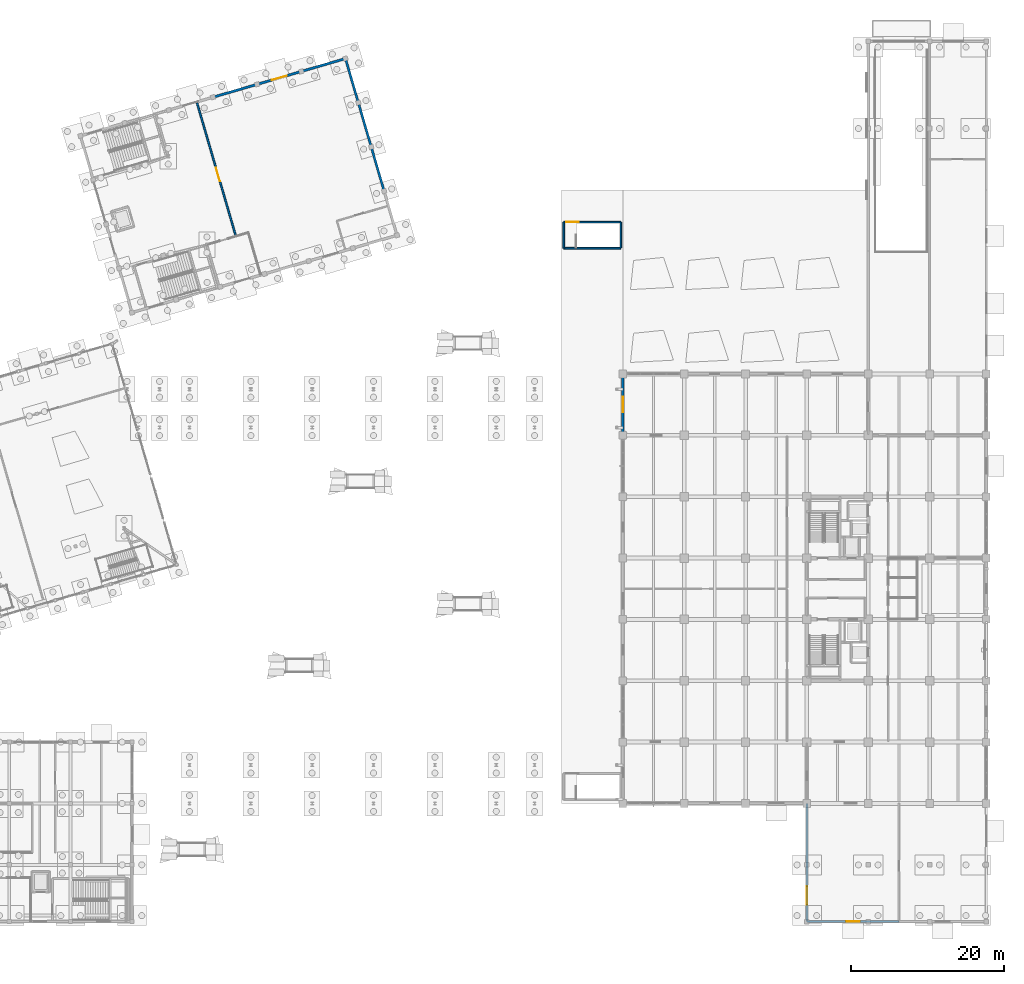
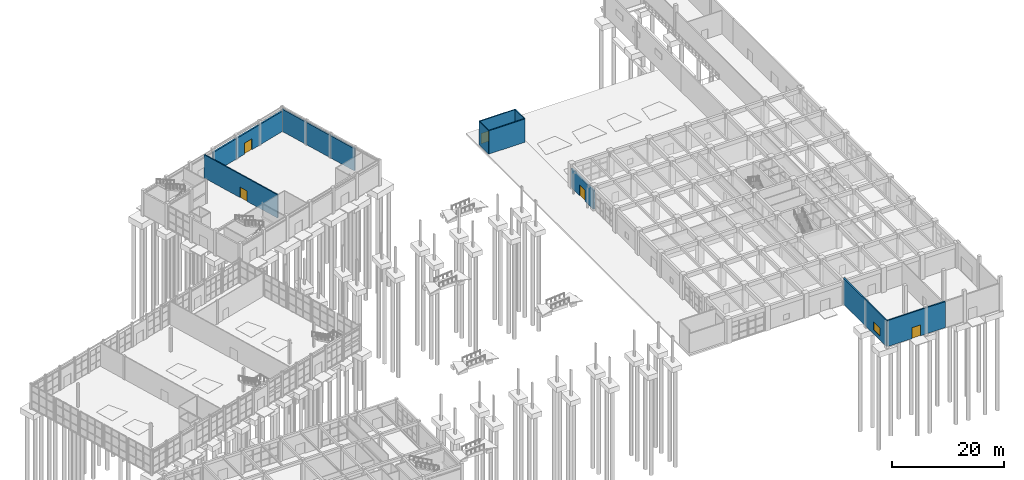
# One storey, part 75 of 90: 14 walls, 5 doors, 1 window, 6 openings.
"""IFC4 building model written with IfcOpenShell, lengths in metres."""

from ifc_helpers import new_model, si_unit, direction, frame, frame_2d, origin, place, context, subcontext, project, spatial, rectangle, extrude, material, layer, layer_set, type_object, element, fill, save


model = new_model("IFC4")

# Units and contexts
model_context = context("Model", 3, precision=1e-05, world=origin(), true_north=direction((0.0, 1.0)))
body_context = subcontext(model_context, "Body", "Model", "MODEL_VIEW")
ifc_project = project(units=[si_unit("LENGTHUNIT", "METRE"), si_unit("AREAUNIT", "SQUARE_METRE"), si_unit("VOLUMEUNIT", "CUBIC_METRE"), si_unit("PLANEANGLEUNIT", "RADIAN"), si_unit("MASSUNIT", "GRAM", prefix="KILO")], contexts=[model_context])

# Site, building, storey
site_placement = place(None, origin())
site = spatial("IfcSite", under=ifc_project, at=site_placement, CompositionType="ELEMENT")
building_placement = place(site_placement, origin())
building = spatial("IfcBuilding", under=site, at=building_placement, Name="Canggui Botanical Conservatory", CompositionType="ELEMENT")
storey_placement = place(building_placement, origin())
storey = spatial("IfcBuildingStorey", under=building, at=storey_placement, Name="L01", CompositionType="ELEMENT", Elevation=0.0)

# Wall, opening, door
ifc_material_1 = material(Name="Precast Concrete C40", Category="concrete")
ifc_layer_1 = layer(ifc_material_1, 0.280029296875, Name="Precast Concrete C40", Category="concrete")
ifc_layer_set_1 = layer_set([ifc_layer_1], Name="Precast Concrete C40")
wall_type_1 = type_object("IfcWallType", Name="EW-280", PredefinedType="STANDARD", material=ifc_layer_set_1)
wall_1_placement = place(storey_placement, frame((166.0, 10.60009765625, 0.0), z_axis=(0.0, 0.0, 1.0), x_axis=(-1.0, 0.0, 0.0)))
wall_1 = element("IfcWall", 1, at=wall_1_placement, inside=storey, type_object=wall_type_1, Name="South-East Wing Exterior Wall SE-S1", PredefinedType="STANDARD", context=body_context, shape_type="SweptSolid", body=[
    extrude(rectangle(XDim=12.0, YDim=0.280029296875, at=frame_2d((6.0, 0.0))), origin(), (0.0, 0.0, 1.0), 5.699951171875),
])
opening_1_placement = place(wall_1_placement, frame((5.10009765625, 0.0, 0.0)))
opening_1 = element("IfcOpeningElement", 2, at=opening_1_placement, cuts=wall_1, Name="Opening EX-B", PredefinedType="OPENING", context=body_context, shape_type="SweptSolid", body=[
    extrude(rectangle(XDim=1.800048828125, YDim=2.39990234375, at=frame_2d((0.89990234375, 1.199951171875))), frame((0.0, 0.14990234375, 0.0), z_axis=(0.0, -1.0, 0.0), x_axis=(1.0, 0.0, 0.0)), (0.0, 0.0, 1.0), 0.300048828125),
])
ifc_material_2 = material(Name="Anodised Aluminium", Category="aluminium")
door_type_1 = type_object("IfcDoorType", Name="EDR-EX18", OperationType="NOTDEFINED", PredefinedType="DOOR", material=ifc_material_2)
door_1_placement = place(opening_1_placement, origin())
door_1 = element("IfcDoor", 3, at=door_1_placement, inside=storey, type_object=door_type_1, Name="Fire Control and Quarantine Exit Door EX-06", OperationType="DOUBLE_DOOR_SINGLE_SWING", OverallHeight=2.39990234375, OverallWidth=1.800048828125, PredefinedType="DOOR", context=body_context, shape_type="SweptSolid", body=[
    extrude(rectangle(XDim=1.800048828125, YDim=2.39990234375, at=frame_2d((0.89990234375, 1.199951171875))), frame((0.0, 0.02490234375, 0.0), z_axis=(0.0, -1.0, 0.0), x_axis=(1.0, 0.0, 0.0)), (0.0, 0.0, 1.0), 0.050048828125),
])
fill(opening_1, door_1)

# Wall, opening, window
wall_2_placement = place(storey_placement, frame((154.0, 10.60009765625, 0.0), z_axis=(0.0, 0.0, 1.0), x_axis=(0.0, 1.0, 0.0)))
wall_2 = element("IfcWall", 4, at=wall_2_placement, inside=storey, type_object=wall_type_1, Name="South-East Wing Exterior Wall SE-W1", PredefinedType="STANDARD", context=body_context, shape_type="SweptSolid", body=[
    extrude(rectangle(XDim=15.39990234375, YDim=0.280029296875, at=frame_2d((7.699951171875, 0.0))), origin(), (0.0, 0.0, 1.0), 5.699951171875),
])
opening_2_placement = place(wall_2_placement, frame((2.199951171875, 0.0, 0.89990234375)))
opening_2 = element("IfcOpeningElement", 5, at=opening_2_placement, cuts=wall_2, Name="Opening W-07", PredefinedType="OPENING", context=body_context, shape_type="SweptSolid", body=[
    extrude(rectangle(XDim=2.39990234375, YDim=1.800048828125, at=frame_2d((1.199951171875, 0.89990234375))), frame((0.0, 0.14990234375, 0.0), z_axis=(0.0, -1.0, 0.0), x_axis=(1.0, 0.0, 0.0)), (0.0, 0.0, 1.0), 0.300048828125),
])
ifc_material_3 = material(Name="Low-E Insulated Glass", Category="glass")
window_type = type_object("IfcWindowType", Name="WIN-07", PartitioningType="TRIPLE_PANEL_VERTICAL", PredefinedType="WINDOW", material=ifc_material_3)
window_placement = place(opening_2_placement, origin())
window = element("IfcWindow", 6, at=window_placement, inside=storey, type_object=window_type, Name="Quarantine Suite Window SE-W1", OverallHeight=1.800048828125, OverallWidth=2.39990234375, PartitioningType="SINGLE_PANEL", PredefinedType="WINDOW", context=body_context, shape_type="SweptSolid", body=[
    extrude(rectangle(XDim=2.39990234375, YDim=1.800048828125, at=frame_2d((1.199951171875, 0.89990234375))), frame((0.0, 0.030029296875, 0.0), z_axis=(0.0, -1.0, 0.0), x_axis=(1.0, 0.0, 0.0)), (0.0, 0.0, 1.0), 0.06005859375),
])
fill(opening_2, window)

# Walls
ifc_layer_2 = layer(ifc_material_1, 0.300048828125, Name="Precast Concrete C40", Category="concrete")
ifc_layer_set_2 = layer_set([ifc_layer_2], Name="Precast Concrete C40")
wall_type_2 = type_object("IfcWallType", Name="EW-300", PredefinedType="STANDARD", material=ifc_layer_set_2)
for number, where, z_axis, x_axis, name in (
    (7, (97.199951171875, 111.60009765625, 0.0), (0.0, 0.0, 1.0), (0.279989062464, -0.960003190047, 0.0), "Auditorium End Wall L01-E-1"),
    (8, (95.52001953125, 117.360107421875, 0.0), (0.0, 0.0, 1.0), (0.279989062464, -0.960003190047, 0.0), "Auditorium End Wall L01-E-2"),
    (9, (93.840087890625, 123.1201171875, 0.0), (0.0, 0.0, 1.0), (0.279989062464, -0.960003190047, 0.0), "Auditorium End Wall L01-E-3"),
):
    element("IfcWall", number, at=place(storey_placement, frame(where, z_axis=z_axis, x_axis=x_axis)), inside=storey, type_object=wall_type_2, Name=name, PredefinedType="STANDARD", context=body_context, shape_type="SweptSolid", body=[
        extrude(rectangle(XDim=6.0, YDim=0.300048828125, at=frame_2d((3.0, 0.0))), origin(), (0.0, 0.0, 1.0), 4.8798828125),
    ])

# Wall, opening, door
ifc_layer_3 = layer(ifc_material_1, 0.320068359375, Name="Precast Concrete C40", Category="concrete")
ifc_layer_set_3 = layer_set([ifc_layer_3], Name="Precast Concrete C40")
wall_type_3 = type_object("IfcWallType", Name="EW-320", PredefinedType="STANDARD", material=ifc_layer_set_3)
wall_3_placement = place(storey_placement, frame((130.0, 74.0, 0.0), z_axis=(0.0, 0.0, 1.0), x_axis=(0.0, 1.0, 0.0)))
wall_3 = element("IfcWall", 10, at=wall_3_placement, inside=storey, type_object=wall_type_3, Name="Tower Insulated Exterior Wall L01-W10", PredefinedType="STANDARD", context=body_context, shape_type="SweptSolid", body=[
    extrude(rectangle(XDim=8.0, YDim=0.320068359375, at=frame_2d((4.0, 0.0))), origin(), (0.0, 0.0, 1.0), 4.14990234375),
])
opening_3_placement = place(wall_3_placement, frame((3.0, 0.0, 0.0)))
opening_3 = element("IfcOpeningElement", 11, at=opening_3_placement, cuts=wall_3, Name="Opening EX-A", PredefinedType="OPENING", context=body_context, shape_type="SweptSolid", body=[
    extrude(rectangle(XDim=2.0, YDim=2.39990234375, at=frame_2d((1.0, 1.199951171875))), frame((0.0, 0.169921875, 0.0), z_axis=(0.0, -1.0, 0.0), x_axis=(1.0, 0.0, 0.0)), (0.0, 0.0, 1.0), 0.340087890625),
])
door_type_2 = type_object("IfcDoorType", Name="EDR-EX20", OperationType="NOTDEFINED", PredefinedType="DOOR", material=ifc_material_2)
door_2_placement = place(opening_3_placement, origin())
door_2 = element("IfcDoor", 12, at=door_2_placement, inside=storey, type_object=door_type_2, Name="Tower Ground Pedestrian Exit Door EX-03", OperationType="DOUBLE_DOOR_SINGLE_SWING", OverallHeight=2.39990234375, OverallWidth=2.0, PredefinedType="DOOR", context=body_context, shape_type="SweptSolid", body=[
    extrude(rectangle(XDim=2.0, YDim=2.39990234375, at=frame_2d((1.0, 1.199951171875))), frame((0.0, 0.02490234375, 0.0), z_axis=(0.0, -1.0, 0.0), x_axis=(1.0, 0.0, 0.0)), (0.0, 0.0, 1.0), 0.050048828125),
])
fill(opening_3, door_2)

# Wall
wall_4_placement = place(storey_placement, frame((76.56005859375, 118.080078125, 0.0), z_axis=(0.0, 0.0, 1.0), x_axis=(0.960003190047, 0.279989062464, 0.0)))
element("IfcWall", 13, at=wall_4_placement, inside=storey, type_object=wall_type_3, Name="Auditorium Acoustic Exterior Wall L01-V1-3", PredefinedType="STANDARD", context=body_context, shape_type="SweptSolid", body=[
    extrude(rectangle(XDim=6.0, YDim=0.320068359375, at=frame_2d((3.0, 0.0))), origin(), (0.0, 0.0, 1.0), 4.449951171875),
])

# Wall, opening, door
wall_5_placement = place(storey_placement, frame((82.320068359375, 119.760009765625, 0.0), z_axis=(0.0, 0.0, 1.0), x_axis=(0.960003190047, 0.279989062464, 0.0)))
wall_5 = element("IfcWall", 14, at=wall_5_placement, inside=storey, type_object=wall_type_3, Name="Auditorium Acoustic Exterior Wall L01-V1-4", PredefinedType="STANDARD", context=body_context, shape_type="SweptSolid", body=[
    extrude(rectangle(XDim=6.0, YDim=0.320068359375, at=frame_2d((3.0, 0.0))), origin(), (0.0, 0.0, 1.0), 4.449951171875),
])
opening_4_placement = place(wall_5_placement, frame((2.0, 0.0, 0.0)))
opening_4 = element("IfcOpeningElement", 15, at=opening_4_placement, cuts=wall_5, Name="Opening EX-A", PredefinedType="OPENING", context=body_context, shape_type="SweptSolid", body=[
    extrude(rectangle(XDim=2.0, YDim=2.39990234375, at=frame_2d((1.0, 1.199951171875))), frame((0.0, 0.169921875, 0.0), z_axis=(0.0, -1.0, 0.0), x_axis=(1.0, 0.0, 0.0)), (0.0, 0.0, 1.0), 0.340087890625),
])
door_3_placement = place(opening_4_placement, origin())
door_3 = element("IfcDoor", 16, at=door_3_placement, inside=storey, type_object=door_type_2, Name="Auditorium Emergency Exit Door EX-25", OperationType="DOUBLE_DOOR_SINGLE_SWING", OverallHeight=2.39990234375, OverallWidth=2.0, PredefinedType="DOOR", context=body_context, shape_type="SweptSolid", body=[
    extrude(rectangle(XDim=2.0, YDim=2.39990234375, at=frame_2d((1.0, 1.199951171875))), frame((0.0, 0.02490234375, 0.0), z_axis=(0.0, -1.0, 0.0), x_axis=(1.0, 0.0, 0.0)), (0.0, 0.0, 1.0), 0.050048828125),
])
fill(opening_4, door_3)

# Wall
wall_6_placement = place(storey_placement, frame((88.080078125, 121.43994140625, 0.0), z_axis=(0.0, 0.0, 1.0), x_axis=(0.959992252312, 0.280026562133, 0.0)))
element("IfcWall", 17, at=wall_6_placement, inside=storey, type_object=wall_type_3, Name="Auditorium Acoustic Exterior Wall L01-V1-5", PredefinedType="STANDARD", context=body_context, shape_type="SweptSolid", body=[
    extrude(rectangle(XDim=6.0, YDim=0.320068359375, at=frame_2d((3.0, 0.0))), origin(), (0.0, 0.0, 1.0), 4.449951171875),
])

# Wall, opening, door
ifc_material_4 = material(Name="Concrete C35", Category="concrete")
ifc_layer_4 = layer(ifc_material_4, 0.22998046875, Name="Concrete C35", Category="concrete")
ifc_layer_set_4 = layer_set([ifc_layer_4], Name="Concrete C35")
wall_type_4 = type_object("IfcWallType", Name="IW-AUD-230", PredefinedType="STANDARD", material=ifc_layer_set_4)
wall_7_placement = place(storey_placement, frame((79.55810546875, 99.944091796875, 0.0), z_axis=(0.0, 0.0, 1.0), x_axis=(-0.280003611734, 0.95999894657, 0.0)))
wall_7 = element("IfcWall", 18, at=wall_7_placement, inside=storey, type_object=wall_type_4, Name="Auditorium Main Foyer Acoustic Wall", PredefinedType="STANDARD", context=body_context, shape_type="SweptSolid", body=[
    extrude(rectangle(XDim=18.169921875, YDim=0.22998046875, at=frame_2d((9.0849609375, 0.0))), origin(), (0.0, 0.0, 1.0), 5.10009765625),
])
opening_5_placement = place(wall_7_placement, frame((7.5, 0.0, 0.0)))
opening_5 = element("IfcOpeningElement", 19, at=opening_5_placement, cuts=wall_7, Name="Opening FD-17", PredefinedType="OPENING", context=body_context, shape_type="SweptSolid", body=[
    extrude(rectangle(XDim=1.800048828125, YDim=2.300048828125, at=frame_2d((0.89990234375, 1.14990234375))), frame((0.0, 0.125, 0.0), z_axis=(0.0, -1.0, 0.0), x_axis=(1.0, 0.0, 0.0)), (0.0, 0.0, 1.0), 0.25),
])
ifc_material_5 = material(Name="Powder-Coated Steel", Category="steel")
door_type_3 = type_object("IfcDoorType", Name="FD-17", OperationType="NOTDEFINED", PredefinedType="DOOR", material=ifc_material_5)
door_4_placement = place(opening_5_placement, origin())
door_4 = element("IfcDoor", 20, at=door_4_placement, inside=storey, type_object=door_type_3, Name="Interior Door IW-AUD-FOY1", OperationType="DOUBLE_DOOR_SINGLE_SWING", OverallHeight=2.300048828125, OverallWidth=1.800048828125, PredefinedType="DOOR", context=body_context, shape_type="SweptSolid", body=[
    extrude(rectangle(XDim=1.800048828125, YDim=2.300048828125, at=frame_2d((0.89990234375, 1.14990234375))), frame((0.0, 0.02490234375, 0.0), z_axis=(0.0, -1.0, 0.0), x_axis=(1.0, 0.0, 0.0)), (0.0, 0.0, 1.0), 0.050048828125),
])
fill(opening_5, door_4)

ifc_layer_5 = layer(ifc_material_4, 0.215087890625, Name="Concrete C35", Category="concrete")
ifc_layer_set_5 = layer_set([ifc_layer_5], Name="Concrete C35")
wall_type_5 = type_object("IfcWallType", Name="IW-SHAFT-215", PredefinedType="STANDARD", material=ifc_layer_set_5)
wall_8_placement = place(storey_placement, frame((122.300048828125, 101.800048828125, 0.0), z_axis=(0.0, 0.0, 1.0), x_axis=(1.0, 0.0, 0.0)))
wall_8 = element("IfcWall", 21, at=wall_8_placement, inside=storey, type_object=wall_type_5, Name="ST-G2 Shaft North Wall L01", PredefinedType="STANDARD", context=body_context, shape_type="SweptSolid", body=[
    extrude(rectangle(XDim=7.449951171875, YDim=0.215087890625, at=frame_2d((3.72509765625, 0.0))), origin(), (0.0, 0.0, 1.0), 5.10009765625),
])
opening_6_placement = place(wall_8_placement, frame((0.35009765625, 0.0, 0.0)))
opening_6 = element("IfcOpeningElement", 22, at=opening_6_placement, cuts=wall_8, Name="Opening EX-C", PredefinedType="OPENING", context=body_context, shape_type="SweptSolid", body=[
    extrude(rectangle(XDim=1.60009765625, YDim=2.300048828125, at=frame_2d((0.800048828125, 1.14990234375))), frame((0.0, 0.11767578125, 0.0), z_axis=(0.0, -1.0, 0.0), x_axis=(1.0, 0.0, 0.0)), (0.0, 0.0, 1.0), 0.235107421875),
])
door_type_4 = type_object("IfcDoorType", Name="EDR-EX16", OperationType="NOTDEFINED", PredefinedType="DOOR", material=ifc_material_2)
door_5_placement = place(opening_6_placement, origin())
door_5 = element("IfcDoor", 23, at=door_5_placement, inside=storey, type_object=door_type_4, Name="ST-G2 Courtyard Direct Exit Door L01", OperationType="DOUBLE_DOOR_SINGLE_SWING", OverallHeight=2.300048828125, OverallWidth=1.60009765625, PredefinedType="DOOR", context=body_context, shape_type="SweptSolid", body=[
    extrude(rectangle(XDim=1.60009765625, YDim=2.300048828125, at=frame_2d((0.800048828125, 1.14990234375))), frame((0.0, 0.02490234375, 0.0), z_axis=(0.0, -1.0, 0.0), x_axis=(1.0, 0.0, 0.0)), (0.0, 0.0, 1.0), 0.050048828125),
])
fill(opening_6, door_5)

# Walls
wall_9_placement = place(storey_placement, frame((129.75, 98.449951171875, 0.0), z_axis=(0.0, 0.0, 1.0), x_axis=(0.0, 1.0, 0.0)))
element("IfcWall", 24, at=wall_9_placement, inside=storey, type_object=wall_type_5, Name="ST-G2 Shaft East Wall L01", PredefinedType="STANDARD", context=body_context, shape_type="SweptSolid", body=[
    extrude(rectangle(XDim=3.35009765625, YDim=0.215087890625, at=frame_2d((1.675048828125, 0.0))), origin(), (0.0, 0.0, 1.0), 5.10009765625),
])
wall_10_placement = place(storey_placement, frame((129.75, 98.39990234375, 0.0), z_axis=(0.0, 0.0, 1.0), x_axis=(-1.0, 0.0, 0.0)))
element("IfcWall", 25, at=wall_10_placement, inside=storey, type_object=wall_type_5, Name="ST-G2 Shaft South Wall L01", PredefinedType="STANDARD", context=body_context, shape_type="SweptSolid", body=[
    extrude(rectangle(XDim=7.449951171875, YDim=0.215087890625, at=frame_2d((3.72509765625, 0.0))), origin(), (0.0, 0.0, 1.0), 5.10009765625),
])
wall_11_placement = place(storey_placement, frame((122.300048828125, 98.39990234375, 0.0), z_axis=(0.0, 0.0, 1.0), x_axis=(0.0, 1.0, 0.0)))
element("IfcWall", 26, at=wall_11_placement, inside=storey, type_object=wall_type_5, Name="ST-G2 Headhouse West Wall", PredefinedType="STANDARD", context=body_context, shape_type="SweptSolid", body=[
    extrude(rectangle(XDim=3.400146484375, YDim=0.215087890625, at=frame_2d((1.7001953125, 0.0))), origin(), (0.0, 0.0, 1.0), 5.10009765625),
])

save(model, "model.ifc")
